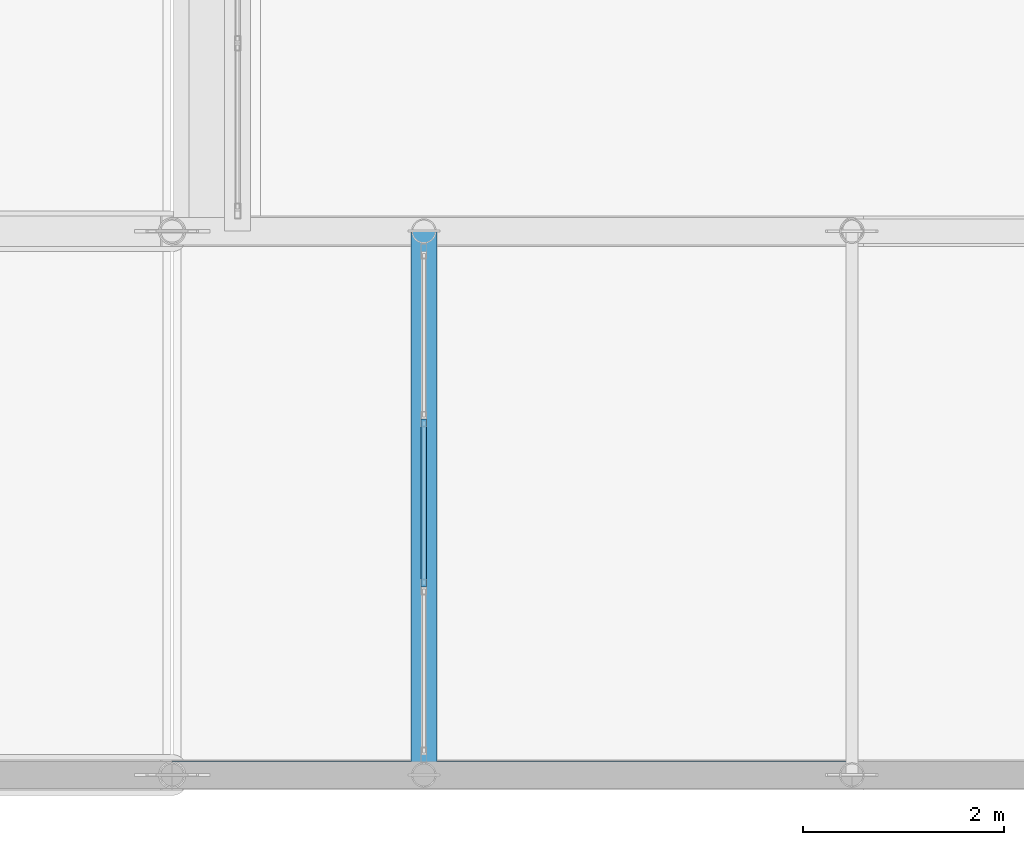
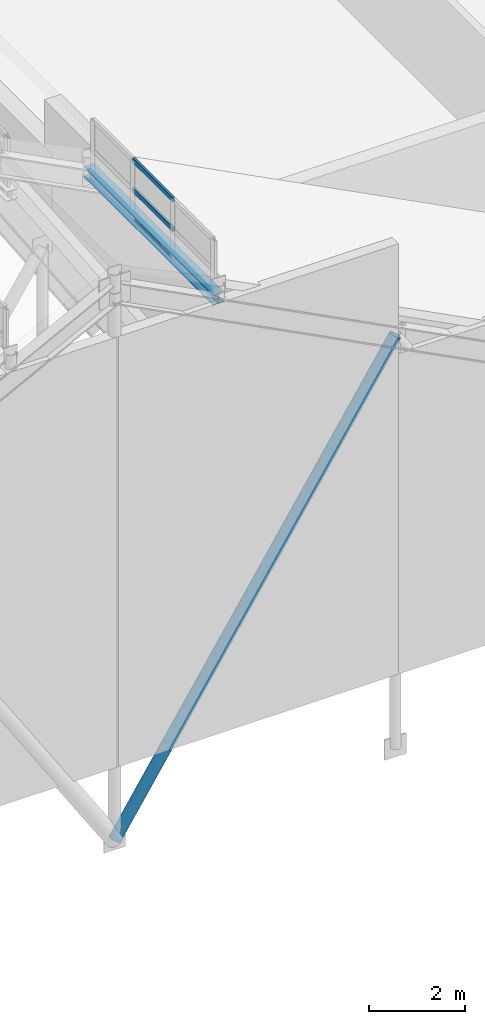
# One storey, part 8 of 84: 4 members, 1 beam, 1 element without a shape of its own.
"""IFC4 building model written with IfcOpenShell, lengths in metres."""

from ifc_helpers import new_model, si_unit, direction, frame, origin, origin_2d, place, context, subcontext, project, spatial, hollow_rectangle, hollow_circle, i_section, extrude, material, layer, layer_set, material_profile, profile_set, type_object, element, aggregate, save


model = new_model("IFC4")

# Units and contexts
model_context = context("Model", 3, precision=1e-05, world=origin(), true_north=direction((0.0, 1.0)))
body_context = subcontext(model_context, "Body", "Model", "MODEL_VIEW")
ifc_project = project(units=[si_unit("LENGTHUNIT", "METRE"), si_unit("AREAUNIT", "SQUARE_METRE"), si_unit("VOLUMEUNIT", "CUBIC_METRE"), si_unit("PLANEANGLEUNIT", "RADIAN"), si_unit("MASSUNIT", "GRAM", prefix="KILO")], contexts=[model_context])

# Site, building, storey
site_placement = place(None, origin())
site = spatial("IfcSite", under=ifc_project, at=site_placement, CompositionType="ELEMENT")
building_placement = place(site_placement, origin())
building = spatial("IfcBuilding", under=site, at=building_placement, Name="Sundgate Opera House", CompositionType="ELEMENT")
storey_placement = place(building_placement, frame((0.0, 0.0, 30.60009765625)))
storey = spatial("IfcBuildingStorey", under=building, at=storey_placement, Name="L06", CompositionType="ELEMENT", Elevation=30.60009765625)

# Beam
ifc_material_1 = material(Name="Steel S355J2", Category="steel")
ifc_material_profile_1 = material_profile(ifc_material_1, i_section(OverallWidth=0.260009765625, OverallDepth=0.25, WebThickness=0.007568359375, FlangeThickness=0.012451171875, at=origin_2d()), Name="HEA 260")
ifc_profile_set_1 = profile_set([ifc_material_profile_1], Name="Steel S355J2")
beam_type = type_object("IfcBeamType", Name="BM-LN-HEA260", PredefinedType="LINTEL", material=ifc_profile_set_1)
beam_placement = place(storey_placement, frame((56.5, 33.0, 12.119873046875), z_axis=(0.0, 1.0, 0.0), x_axis=(-1.0, 0.0, 0.0)))
element("IfcBeam", 1, at=beam_placement, inside=storey, type_object=beam_type, Name="L06 Crown Clerestory Curb Beam BS023", PredefinedType="LINTEL", context=body_context, shape_type="SweptSolid", body=[
    extrude(i_section(OverallWidth=0.260009765625, OverallDepth=0.25, WebThickness=0.007568359375, FlangeThickness=0.012451171875, at=origin_2d()), origin(), (0.0, 0.0, 1.0), 5.39990234375),
])

# Curtain wall, members
ifc_material_2 = material(Name="Anodized aluminium and low-iron glass", Category="aluminium")
ifc_layer = layer(ifc_material_2, 0.169921875)
ifc_layer_set = layer_set([ifc_layer], Name="Anodized aluminium and low-iron glass")
curtain_wall_type = type_object("IfcCurtainWallType", Name="CW-LANTERN-POLY", PredefinedType="NOTDEFINED", material=ifc_layer_set)
curtain_wall_placement = place(storey_placement, origin())
curtain_wall = element("IfcCurtainWall", 2, at=curtain_wall_placement, inside=storey, type_object=curtain_wall_type, Name="L06 Curtain Wall CW170", PredefinedType="NOTDEFINED")
ifc_material_3 = material(Name="Anodized aluminium EN AW-6063", Category="aluminium")
ifc_material_profile_2 = material_profile(ifc_material_3, hollow_rectangle(XDim=0.054931640625, YDim=0.1201171875, WallThickness=0.00390625, at=origin_2d()), Name="CWT 120x55x4")
ifc_profile_set_2 = profile_set([ifc_material_profile_2], Name="Anodized aluminium EN AW-6063")
member_type_1 = type_object("IfcMemberType", Name="CWT-ALU-120x55", PredefinedType="USERDEFINED", material=ifc_profile_set_2)
member_1_placement = place(storey_placement, frame((56.5, 34.86669921875, 12.0), z_axis=(0.0, 1.0, 0.0), x_axis=(-1.0, 0.0, 0.0)))
member_1 = element("IfcMember", 3, at=member_1_placement, type_object=member_type_1, Name="CW170 Transom 4", ObjectType="TRANSOM", PredefinedType="USERDEFINED", context=body_context, shape_type="SweptSolid", body=[
    extrude(hollow_rectangle(XDim=0.054931640625, YDim=0.1201171875, WallThickness=0.00390625, at=origin_2d()), origin(), (0.0, 0.0, 1.0), 1.666748046875),
])
member_2_placement = place(storey_placement, frame((56.5, 34.86669921875, 12.75), z_axis=(0.0, 1.0, 0.0), x_axis=(-1.0, 0.0, 0.0)))
member_2 = element("IfcMember", 4, at=member_2_placement, type_object=member_type_1, Name="CW170 Transom 5", ObjectType="TRANSOM", PredefinedType="USERDEFINED", context=body_context, shape_type="SweptSolid", body=[
    extrude(hollow_rectangle(XDim=0.054931640625, YDim=0.1201171875, WallThickness=0.00390625, at=origin_2d()), origin(), (0.0, 0.0, 1.0), 1.666748046875),
])
member_3_placement = place(storey_placement, frame((56.5, 34.86669921875, 13.5), z_axis=(0.0, 1.0, 0.0), x_axis=(-1.0, 0.0, 0.0)))
member_3 = element("IfcMember", 5, at=member_3_placement, type_object=member_type_1, Name="CW170 Transom 6", ObjectType="TRANSOM", PredefinedType="USERDEFINED", context=body_context, shape_type="SweptSolid", body=[
    extrude(hollow_rectangle(XDim=0.054931640625, YDim=0.1201171875, WallThickness=0.00390625, at=origin_2d()), origin(), (0.0, 0.0, 1.0), 1.666748046875),
])
aggregate(curtain_wall, [member_1, member_2, member_3])

# Member
ifc_material_4 = material(Name="Steel S355J2", Category="steel")
ifc_material_profile_3 = material_profile(ifc_material_4, hollow_circle(Radius=0.136474609375, WallThickness=0.01611328125, at=origin_2d()), Name="CHS 273.0x16.0")
ifc_profile_set_3 = profile_set([ifc_material_profile_3], Name="Steel S355J2")
member_type_2 = type_object("IfcMemberType", Name="MB-STRUT-CHS273", PredefinedType="STRUT", material=ifc_profile_set_3)
member_4_placement = place(storey_placement, frame((54.0, 33.0, -0.760009765625), z_axis=(0.541853645841, 0.0, 0.840472858865), x_axis=(0.0, 1.0, 0.0)))
element("IfcMember", 6, at=member_4_placement, inside=storey, type_object=member_type_2, Name="L06 Auditorium Warren Web Strut M0041", PredefinedType="STRUT", context=body_context, shape_type="SweptSolid", body=[
    extrude(hollow_circle(Radius=0.136474609375, WallThickness=0.01611328125, at=origin_2d()), origin(), (0.0, 0.0, 1.0), 12.457275390625),
])

save(model, "model.ifc")
